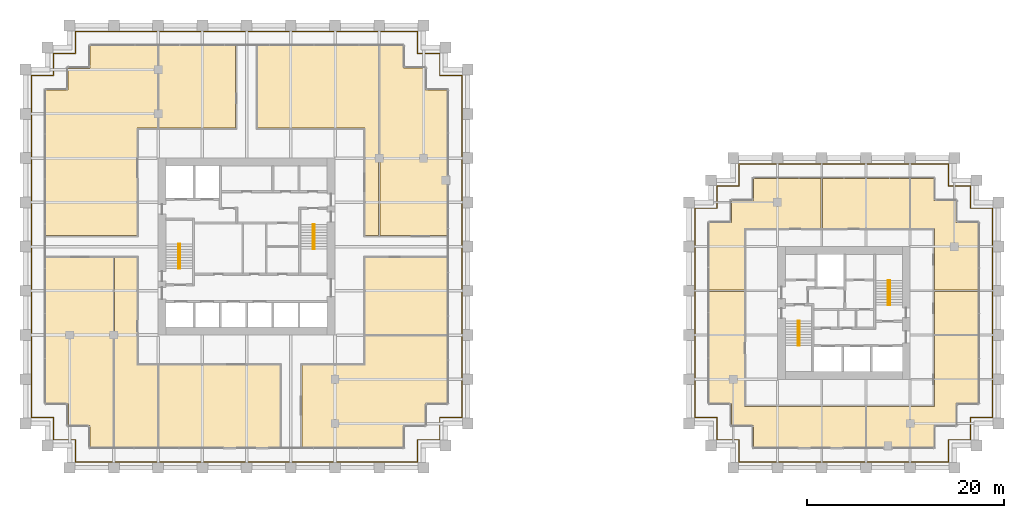
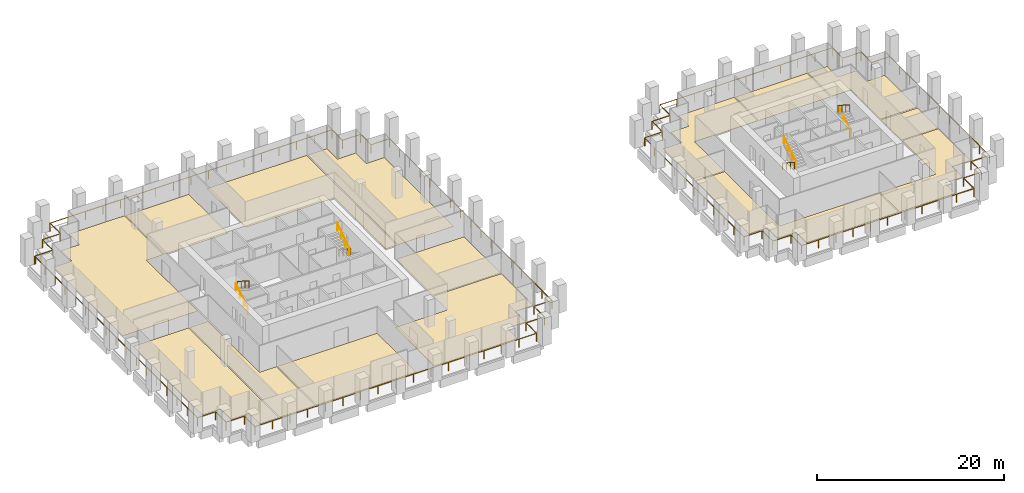
# One storey, part 54 of 54: 15 coverings, 10 railings.
"""IFC4 building model written with IfcOpenShell, lengths in metres."""

from ifc_helpers import new_model, si_unit, direction, frame, origin, origin_2d, place, context, subcontext, project, spatial, polyline, circle, outline, extrude, source, transform, mapped, material, layer, layer_set, type_object, element, save


model = new_model("IFC4")

# Units and contexts
model_context = context("Model", 3, precision=1e-05, world=origin(), true_north=direction((0.0, 1.0)))
body_context = subcontext(model_context, "Body", "Model", "MODEL_VIEW")
ifc_project = project(units=[si_unit("LENGTHUNIT", "METRE"), si_unit("AREAUNIT", "SQUARE_METRE"), si_unit("VOLUMEUNIT", "CUBIC_METRE"), si_unit("PLANEANGLEUNIT", "RADIAN"), si_unit("MASSUNIT", "GRAM", prefix="KILO")], contexts=[model_context])

# Site, building, storey
site_placement = place(None, origin())
site = spatial("IfcSite", under=ifc_project, at=site_placement, CompositionType="ELEMENT")
building_placement = place(site_placement, origin())
building = spatial("IfcBuilding", under=site, at=building_placement, Name="Altepetl Exchange Towers", CompositionType="ELEMENT")
storey_placement = place(building_placement, frame((0.0, 0.0, 58.199951171875)))
storey = spatial("IfcBuildingStorey", under=building, at=storey_placement, Name="L13", CompositionType="ELEMENT", Elevation=58.199951171875)

# Coverings
ifc_material_1 = material(Name="Carpet tile")
ifc_layer_1 = layer(ifc_material_1, 0.02001953125)
ifc_layer_set_1 = layer_set([ifc_layer_1], Name="Carpet tile")
covering_type_1 = type_object("IfcCoveringType", Name="Carpet tile floor", PredefinedType="FLOORING", material=ifc_layer_set_1)
covering_1_placement = place(storey_placement, origin())
element("IfcCovering", 1, at=covering_1_placement, inside=storey, type_object=covering_type_1, Name="Fund office floor finish A13.01", PredefinedType="FLOORING", context=body_context, shape_type="SweptSolid", body=[
    extrude(outline(polyline([(31.3125, 31.3125), (33.5625, 31.3125), (33.5625, 29.0625), (35.9375, 29.0625), (35.9375, 48.387451171875), (29.0625, 48.387451171875), (29.0625, 33.5625), (31.3125, 33.5625), (31.3125, 31.3125)])), origin(), (0.0, 0.0, 1.0), 0.02001953125),
])
covering_2_placement = place(storey_placement, origin())
element("IfcCovering", 2, at=covering_2_placement, inside=storey, type_object=covering_type_1, Name="Pantry floor finish A13.02", PredefinedType="FLOORING", context=body_context, shape_type="SweptSolid", body=[
    extrude(outline(polyline([(36.0625, 48.387451171875), (36.0625, 29.0625), (40.4375, 29.0625), (40.4375, 37.4375), (38.33740234375, 37.4375), (38.33740234375, 48.387451171875), (36.0625, 48.387451171875)])), origin(), (0.0, 0.0, 1.0), 0.02001953125),
])
covering_3_placement = place(storey_placement, origin())
element("IfcCovering", 3, at=covering_3_placement, inside=storey, type_object=covering_type_1, Name="Conference room floor finish A13.03", PredefinedType="FLOORING", context=body_context, shape_type="SweptSolid", body=[
    extrude(outline(polyline([(40.5625, 37.4375), (40.5625, 29.0625), (52.887451171875, 29.0625), (52.887451171875, 37.4375), (40.5625, 37.4375)])), origin(), (0.0, 0.0, 1.0), 0.02001953125),
])
covering_4_placement = place(storey_placement, origin())
element("IfcCovering", 4, at=covering_4_placement, inside=storey, type_object=covering_type_1, Name="Research office floor finish A13.04", PredefinedType="FLOORING", context=body_context, shape_type="SweptSolid", body=[
    extrude(outline(polyline([(67.6875, 31.3125), (67.6875, 33.5625), (69.9375, 33.5625), (69.9375, 40.4375), (61.5625, 40.4375), (61.5625, 37.4375), (55.112548828125, 37.4375), (55.112548828125, 29.0625), (65.4375, 29.0625), (65.4375, 31.3125), (67.6875, 31.3125)])), origin(), (0.0, 0.0, 1.0), 0.02001953125),
])
covering_5_placement = place(storey_placement, origin())
element("IfcCovering", 5, at=covering_5_placement, inside=storey, type_object=covering_type_1, Name="Pantry floor finish A13.05", PredefinedType="FLOORING", context=body_context, shape_type="SweptSolid", body=[
    extrude(outline(polyline([(61.5625, 40.5625), (69.9375, 40.5625), (69.9375, 48.387451171875), (61.5625, 48.387451171875), (61.5625, 40.5625)])), origin(), (0.0, 0.0, 1.0), 0.02001953125),
])
covering_6_placement = place(storey_placement, origin())
element("IfcCovering", 6, at=covering_6_placement, inside=storey, type_object=covering_type_1, Name="Research office floor finish A13.06", PredefinedType="FLOORING", context=body_context, shape_type="SweptSolid", body=[
    extrude(outline(polyline([(67.6875, 67.6875), (65.4375, 67.6875), (65.4375, 69.9375), (63.0625, 69.9375), (63.0625, 50.612548828125), (69.9375, 50.612548828125), (69.9375, 65.4375), (67.6875, 65.4375), (67.6875, 67.6875)])), origin(), (0.0, 0.0, 1.0), 0.02001953125),
])
covering_7_placement = place(storey_placement, origin())
element("IfcCovering", 7, at=covering_7_placement, inside=storey, type_object=covering_type_1, Name="Fund office floor finish A13.07", PredefinedType="FLOORING", context=body_context, shape_type="SweptSolid", body=[
    extrude(outline(polyline([(62.9375, 50.612548828125), (62.9375, 69.9375), (50.612548828125, 69.9375), (50.612548828125, 61.5625), (61.5625, 61.5625), (61.5625, 50.612548828125), (62.9375, 50.612548828125)])), origin(), (0.0, 0.0, 1.0), 0.02001953125),
])
covering_8_placement = place(storey_placement, origin())
element("IfcCovering", 8, at=covering_8_placement, inside=storey, type_object=covering_type_1, Name="Print room floor finish A13.08", PredefinedType="FLOORING", context=body_context, shape_type="SweptSolid", body=[
    extrude(outline(polyline([(48.387451171875, 69.9375), (40.5625, 69.9375), (40.5625, 61.5625), (48.387451171875, 61.5625), (48.387451171875, 69.9375)])), origin(), (0.0, 0.0, 1.0), 0.02001953125),
])
covering_9_placement = place(storey_placement, origin())
element("IfcCovering", 9, at=covering_9_placement, inside=storey, type_object=covering_type_1, Name="Fund office floor finish A13.09", PredefinedType="FLOORING", context=body_context, shape_type="SweptSolid", body=[
    extrude(outline(polyline([(40.4375, 61.5625), (40.4375, 69.9375), (33.5625, 69.9375), (33.5625, 67.6875), (31.3125, 67.6875), (31.3125, 65.4375), (29.0625, 65.4375), (29.0625, 50.612548828125), (38.33740234375, 50.612548828125), (38.33740234375, 61.5625), (40.4375, 61.5625)])), origin(), (0.0, 0.0, 1.0), 0.02001953125),
])
covering_10_placement = place(storey_placement, origin())
element("IfcCovering", 10, at=covering_10_placement, inside=storey, type_object=covering_type_1, Name="Print room floor finish B13.03", PredefinedType="FLOORING", context=body_context, shape_type="SweptSolid", body=[
    extrude(outline(polyline([(123.9375, 44.9375), (119.46240234375, 44.9375), (119.46240234375, 40.5625), (123.9375, 40.5625), (123.9375, 44.9375)])), origin(), (0.0, 0.0, 1.0), 0.02001953125),
])
covering_11_placement = place(storey_placement, origin())
element("IfcCovering", 11, at=covering_11_placement, inside=storey, type_object=covering_type_1, Name="Huddle room floor finish B13.05", PredefinedType="FLOORING", context=body_context, shape_type="SweptSolid", body=[
    extrude(outline(polyline([(108.0625, 56.4375), (108.0625, 51.362548828125), (116.9375, 51.362548828125), (116.9375, 56.4375), (108.0625, 56.4375)])), origin(), (0.0, 0.0, 1.0), 0.02001953125),
])
ifc_material_2 = material(Name="Calcium sulphate access floor panel")
ifc_layer_2 = layer(ifc_material_2, 0.0400390625)
ifc_layer_set_2 = layer_set([ifc_layer_2], Name="Calcium sulphate access floor panel")
covering_type_2 = type_object("IfcCoveringType", Name="Raised access floor panels", PredefinedType="FLOORING", material=ifc_layer_set_2)
covering_12_placement = place(storey_placement, origin())
element("IfcCovering", 12, at=covering_12_placement, inside=storey, type_object=covering_type_2, Name="Treasury office floor finish B13.01", PredefinedType="FLOORING", context=body_context, shape_type="SweptSolid", body=[
    extrude(outline(polyline([(112.4375, 29.0625), (112.4375, 33.237548828125), (100.137451171875, 33.237548828125), (100.137451171875, 44.9375), (96.5625, 44.9375), (96.5625, 33.5625), (98.8125, 33.5625), (98.8125, 31.3125), (101.0625, 31.3125), (101.0625, 29.0625), (112.4375, 29.0625)])), origin(), (0.0, 0.0, 1.0), 0.0400390625),
])
covering_13_placement = place(storey_placement, origin())
element("IfcCovering", 13, at=covering_13_placement, inside=storey, type_object=covering_type_2, Name="Bank office floor finish B13.02", PredefinedType="FLOORING", context=body_context, shape_type="SweptSolid", body=[
    extrude(outline(polyline([(123.9375, 40.4375), (119.46240234375, 40.4375), (119.46240234375, 33.237548828125), (112.5625, 33.237548828125), (112.5625, 29.0625), (119.4375, 29.0625), (119.4375, 31.3125), (121.6875, 31.3125), (121.6875, 33.5625), (123.9375, 33.5625), (123.9375, 40.4375)])), origin(), (0.0, 0.0, 1.0), 0.0400390625),
])
covering_14_placement = place(storey_placement, origin())
element("IfcCovering", 14, at=covering_14_placement, inside=storey, type_object=covering_type_2, Name="Treasury office floor finish B13.04", PredefinedType="FLOORING", context=body_context, shape_type="SweptSolid", body=[
    extrude(outline(polyline([(117.0625, 56.4375), (117.0625, 51.362548828125), (119.46240234375, 51.362548828125), (119.46240234375, 45.0625), (123.9375, 45.0625), (123.9375, 51.9375), (121.6875, 51.9375), (121.6875, 54.1875), (119.4375, 54.1875), (119.4375, 56.4375), (117.0625, 56.4375)])), origin(), (0.0, 0.0, 1.0), 0.0400390625),
])
covering_15_placement = place(storey_placement, origin())
element("IfcCovering", 15, at=covering_15_placement, inside=storey, type_object=covering_type_2, Name="Bank office floor finish B13.06", PredefinedType="FLOORING", context=body_context, shape_type="SweptSolid", body=[
    extrude(outline(polyline([(101.0625, 54.1875), (98.8125, 54.1875), (98.8125, 51.9375), (96.5625, 51.9375), (96.5625, 45.0625), (100.137451171875, 45.0625), (100.137451171875, 51.362548828125), (107.9375, 51.362548828125), (107.9375, 56.4375), (101.0625, 56.4375), (101.0625, 54.1875)])), origin(), (0.0, 0.0, 1.0), 0.0400390625),
])

# Railings
ifc_material_3 = material(Name="Steel S355", Category="steel")
railing_type_1 = type_object("IfcRailingType", Name="Guard 1100 steel posts and rail", PredefinedType="GUARDRAIL", material=ifc_material_3)
shared_shape_1 = source(origin(), body_context, "Body", "SweptSolid", [
    extrude(circle(Radius=0.02099609375, at=origin_2d()), origin(), (0.0, 0.0, 1.0), 1.052001953125),
])
railing_1_placement = place(storey_placement, frame((27.60009765625, 66.89990234375, 0.0)))
element("IfcRailing", 16, at=railing_1_placement, inside=storey, type_object=railing_type_1, Name="Loggia guard", PredefinedType="GUARDRAIL", context=body_context, shape_type="SweptSolid", body=[
    extrude(circle(Radius=0.02392578125, at=origin_2d()), frame((0.0, 0.0, 1.076171875), z_axis=(0.0, -1.0, 0.0), x_axis=(1.0, 0.0, 0.0)), (0.0, 0.0, 1.0), 34.7998046875),
    extrude(circle(Radius=0.02392578125, at=origin_2d()), frame((0.0, -34.7998046875, 1.076171875), z_axis=(1.0, 0.0, 0.0), x_axis=(0.0, 1.0, 0.0)), (0.0, 0.0, 1.0), 2.25),
    extrude(circle(Radius=0.02392578125, at=origin_2d()), frame((2.25, -34.7998046875, 1.076171875), z_axis=(0.0, -1.0, 0.0), x_axis=(1.0, 0.0, 0.0)), (0.0, 0.0, 1.0), 2.25),
    extrude(circle(Radius=0.02392578125, at=origin_2d()), frame((2.25, -37.0498046875, 1.076171875), z_axis=(1.0, 0.0, 0.0), x_axis=(0.0, 1.0, 0.0)), (0.0, 0.0, 1.0), 2.25),
    extrude(circle(Radius=0.02392578125, at=origin_2d()), frame((4.5, -37.0498046875, 1.076171875), z_axis=(0.0, -1.0, 0.0), x_axis=(1.0, 0.0, 0.0)), (0.0, 0.0, 1.0), 2.25),
    extrude(circle(Radius=0.02392578125, at=origin_2d()), frame((4.5, -39.2998046875, 1.076171875), z_axis=(1.0, 0.0, 0.0), x_axis=(0.0, 1.0, 0.0)), (0.0, 0.0, 1.0), 34.7998046875),
    extrude(circle(Radius=0.02392578125, at=origin_2d()), frame((39.2998046875, -39.2998046875, 1.076171875), z_axis=(0.0, 1.0, 0.0), x_axis=(-1.0, 0.0, 0.0)), (0.0, 0.0, 1.0), 2.25),
    extrude(circle(Radius=0.02392578125, at=origin_2d()), frame((39.2998046875, -37.0498046875, 1.076171875), z_axis=(1.0, 0.0, 0.0), x_axis=(0.0, 1.0, 0.0)), (0.0, 0.0, 1.0), 2.25),
    extrude(circle(Radius=0.02392578125, at=origin_2d()), frame((41.5498046875, -37.0498046875, 1.076171875), z_axis=(0.0, 1.0, 0.0), x_axis=(-1.0, 0.0, 0.0)), (0.0, 0.0, 1.0), 2.25),
    extrude(circle(Radius=0.02392578125, at=origin_2d()), frame((41.5498046875, -34.7998046875, 1.076171875), z_axis=(1.0, 0.0, 0.0), x_axis=(0.0, 1.0, 0.0)), (0.0, 0.0, 1.0), 2.25),
    extrude(circle(Radius=0.02392578125, at=origin_2d()), frame((43.7998046875, -34.7998046875, 1.076171875), z_axis=(0.0, 1.0, 0.0), x_axis=(-1.0, 0.0, 0.0)), (0.0, 0.0, 1.0), 34.7998046875),
    extrude(circle(Radius=0.02392578125, at=origin_2d()), frame((43.7998046875, 0.0, 1.076171875), z_axis=(-1.0, 0.0, 0.0), x_axis=(0.0, -1.0, 0.0)), (0.0, 0.0, 1.0), 2.25),
    extrude(circle(Radius=0.02392578125, at=origin_2d()), frame((41.5498046875, 0.0, 1.076171875), z_axis=(0.0, 1.0, 0.0), x_axis=(-1.0, 0.0, 0.0)), (0.0, 0.0, 1.0), 2.25),
    extrude(circle(Radius=0.02392578125, at=origin_2d()), frame((41.5498046875, 2.25, 1.076171875), z_axis=(-1.0, 0.0, 0.0), x_axis=(0.0, -1.0, 0.0)), (0.0, 0.0, 1.0), 2.25),
    extrude(circle(Radius=0.02392578125, at=origin_2d()), frame((39.2998046875, 2.25, 1.076171875), z_axis=(0.0, 1.0, 0.0), x_axis=(-1.0, 0.0, 0.0)), (0.0, 0.0, 1.0), 2.25),
    extrude(circle(Radius=0.02392578125, at=origin_2d()), frame((39.2998046875, 4.5, 1.076171875), z_axis=(-1.0, 0.0, 0.0), x_axis=(0.0, -1.0, 0.0)), (0.0, 0.0, 1.0), 34.7998046875),
    extrude(circle(Radius=0.02392578125, at=origin_2d()), frame((4.5, 4.5, 1.076171875), z_axis=(0.0, -1.0, 0.0), x_axis=(1.0, 0.0, 0.0)), (0.0, 0.0, 1.0), 2.25),
    extrude(circle(Radius=0.02392578125, at=origin_2d()), frame((4.5, 2.25, 1.076171875), z_axis=(-1.0, 0.0, 0.0), x_axis=(0.0, -1.0, 0.0)), (0.0, 0.0, 1.0), 2.25),
    extrude(circle(Radius=0.02392578125, at=origin_2d()), frame((2.25, 2.25, 1.076171875), z_axis=(0.0, -1.0, 0.0), x_axis=(1.0, 0.0, 0.0)), (0.0, 0.0, 1.0), 2.25),
    extrude(circle(Radius=0.02392578125, at=origin_2d()), frame((2.25, 0.0, 1.076171875), z_axis=(-1.0, 0.0, 0.0), x_axis=(0.0, -1.0, 0.0)), (0.0, 0.0, 1.0), 2.150146484375),
    mapped(shared_shape_1, transform((0.0, 0.0, 0.0))),
    mapped(shared_shape_1, transform((0.0, -2.175048828125, 0.0))),
    mapped(shared_shape_1, transform((0.0, -4.35009765625, 0.0))),
    mapped(shared_shape_1, transform((0.0, -6.52490234375, 0.0))),
    mapped(shared_shape_1, transform((0.0, -8.699951171875, 0.0))),
    mapped(shared_shape_1, transform((0.0, -10.875, 0.0))),
    mapped(shared_shape_1, transform((0.0, -13.0498046875, 0.0))),
    mapped(shared_shape_1, transform((0.0, -15.224853515625, 0.0))),
    mapped(shared_shape_1, transform((0.0, -17.39990234375, 0.0))),
    mapped(shared_shape_1, transform((0.0, -19.574951171875, 0.0))),
    mapped(shared_shape_1, transform((0.0, -21.75, 0.0))),
    mapped(shared_shape_1, transform((0.0, -23.9248046875, 0.0))),
    mapped(shared_shape_1, transform((0.0, -26.099853515625, 0.0))),
    mapped(shared_shape_1, transform((0.0, -28.27490234375, 0.0))),
    mapped(shared_shape_1, transform((0.0, -30.44970703125, 0.0))),
    mapped(shared_shape_1, transform((0.0, -32.624755859375, 0.0))),
    mapped(shared_shape_1, transform((0.0, -34.7998046875, 0.0))),
    mapped(shared_shape_1, transform((2.25, -34.7998046875, 0.0))),
    mapped(shared_shape_1, transform((2.25, -37.0498046875, 0.0))),
    mapped(shared_shape_1, transform((4.5, -37.0498046875, 0.0))),
    mapped(shared_shape_1, transform((4.5, -39.2998046875, 0.0))),
    mapped(shared_shape_1, transform((6.675048828125, -39.2998046875, 0.0))),
    mapped(shared_shape_1, transform((8.85009765625, -39.2998046875, 0.0))),
    mapped(shared_shape_1, transform((11.02490234375, -39.2998046875, 0.0))),
    mapped(shared_shape_1, transform((13.199951171875, -39.2998046875, 0.0))),
    mapped(shared_shape_1, transform((15.375, -39.2998046875, 0.0))),
    mapped(shared_shape_1, transform((17.5498046875, -39.2998046875, 0.0))),
    mapped(shared_shape_1, transform((19.724853515625, -39.2998046875, 0.0))),
    mapped(shared_shape_1, transform((21.89990234375, -39.2998046875, 0.0))),
    mapped(shared_shape_1, transform((24.074951171875, -39.2998046875, 0.0))),
    mapped(shared_shape_1, transform((26.25, -39.2998046875, 0.0))),
    mapped(shared_shape_1, transform((28.4248046875, -39.2998046875, 0.0))),
    mapped(shared_shape_1, transform((30.599853515625, -39.2998046875, 0.0))),
    mapped(shared_shape_1, transform((32.77490234375, -39.2998046875, 0.0))),
    mapped(shared_shape_1, transform((34.94970703125, -39.2998046875, 0.0))),
    mapped(shared_shape_1, transform((37.124755859375, -39.2998046875, 0.0))),
    mapped(shared_shape_1, transform((39.2998046875, -39.2998046875, 0.0))),
    mapped(shared_shape_1, transform((39.2998046875, -37.0498046875, 0.0))),
    mapped(shared_shape_1, transform((41.5498046875, -37.0498046875, 0.0))),
    mapped(shared_shape_1, transform((41.5498046875, -34.7998046875, 0.0))),
    mapped(shared_shape_1, transform((43.7998046875, -34.7998046875, 0.0))),
    mapped(shared_shape_1, transform((43.7998046875, -32.624755859375, 0.0))),
    mapped(shared_shape_1, transform((43.7998046875, -30.44970703125, 0.0))),
    mapped(shared_shape_1, transform((43.7998046875, -28.27490234375, 0.0))),
    mapped(shared_shape_1, transform((43.7998046875, -26.099853515625, 0.0))),
    mapped(shared_shape_1, transform((43.7998046875, -23.9248046875, 0.0))),
    mapped(shared_shape_1, transform((43.7998046875, -21.75, 0.0))),
    mapped(shared_shape_1, transform((43.7998046875, -19.574951171875, 0.0))),
    mapped(shared_shape_1, transform((43.7998046875, -17.39990234375, 0.0))),
    mapped(shared_shape_1, transform((43.7998046875, -15.224853515625, 0.0))),
    mapped(shared_shape_1, transform((43.7998046875, -13.0498046875, 0.0))),
    mapped(shared_shape_1, transform((43.7998046875, -10.875, 0.0))),
    mapped(shared_shape_1, transform((43.7998046875, -8.699951171875, 0.0))),
    mapped(shared_shape_1, transform((43.7998046875, -6.52490234375, 0.0))),
    mapped(shared_shape_1, transform((43.7998046875, -4.35009765625, 0.0))),
    mapped(shared_shape_1, transform((43.7998046875, -2.175048828125, 0.0))),
    mapped(shared_shape_1, transform((43.7998046875, 0.0, 0.0))),
    mapped(shared_shape_1, transform((41.5498046875, 0.0, 0.0))),
    mapped(shared_shape_1, transform((41.5498046875, 2.25, 0.0))),
    mapped(shared_shape_1, transform((39.2998046875, 2.25, 0.0))),
    mapped(shared_shape_1, transform((39.2998046875, 4.5, 0.0))),
    mapped(shared_shape_1, transform((37.124755859375, 4.5, 0.0))),
    mapped(shared_shape_1, transform((34.94970703125, 4.5, 0.0))),
    mapped(shared_shape_1, transform((32.77490234375, 4.5, 0.0))),
    mapped(shared_shape_1, transform((30.599853515625, 4.5, 0.0))),
    mapped(shared_shape_1, transform((28.4248046875, 4.5, 0.0))),
    mapped(shared_shape_1, transform((26.25, 4.5, 0.0))),
    mapped(shared_shape_1, transform((24.074951171875, 4.5, 0.0))),
    mapped(shared_shape_1, transform((21.89990234375, 4.5, 0.0))),
    mapped(shared_shape_1, transform((19.724853515625, 4.5, 0.0))),
    mapped(shared_shape_1, transform((17.5498046875, 4.5, 0.0))),
    mapped(shared_shape_1, transform((15.375, 4.5, 0.0))),
    mapped(shared_shape_1, transform((13.199951171875, 4.5, 0.0))),
    mapped(shared_shape_1, transform((11.02490234375, 4.5, 0.0))),
    mapped(shared_shape_1, transform((8.85009765625, 4.5, 0.0))),
    mapped(shared_shape_1, transform((6.675048828125, 4.5, 0.0))),
    mapped(shared_shape_1, transform((4.5, 4.5, 0.0))),
    mapped(shared_shape_1, transform((4.5, 2.25, 0.0))),
    mapped(shared_shape_1, transform((2.25, 2.25, 0.0))),
    mapped(shared_shape_1, transform((2.25, 0.0, 0.0))),
    mapped(shared_shape_1, transform((0.099853515625, 0.0, 0.0))),
])
railing_2_placement = place(storey_placement, frame((95.10009765625, 53.39990234375, 0.0)))
element("IfcRailing", 17, at=railing_2_placement, inside=storey, type_object=railing_type_1, Name="Loggia guard", PredefinedType="GUARDRAIL", context=body_context, shape_type="SweptSolid", body=[
    extrude(circle(Radius=0.02392578125, at=origin_2d()), frame((0.0, 0.0, 1.076171875), z_axis=(0.0, -1.0, 0.0), x_axis=(1.0, 0.0, 0.0)), (0.0, 0.0, 1.0), 21.2998046875),
    extrude(circle(Radius=0.02392578125, at=origin_2d()), frame((0.0, -21.2998046875, 1.076171875), z_axis=(1.0, 0.0, 0.0), x_axis=(0.0, 1.0, 0.0)), (0.0, 0.0, 1.0), 2.25),
    extrude(circle(Radius=0.02392578125, at=origin_2d()), frame((2.25, -21.2998046875, 1.076171875), z_axis=(0.0, -1.0, 0.0), x_axis=(1.0, 0.0, 0.0)), (0.0, 0.0, 1.0), 2.25),
    extrude(circle(Radius=0.02392578125, at=origin_2d()), frame((2.25, -23.5498046875, 1.076171875), z_axis=(1.0, 0.0, 0.0), x_axis=(0.0, 1.0, 0.0)), (0.0, 0.0, 1.0), 2.25),
    extrude(circle(Radius=0.02392578125, at=origin_2d()), frame((4.5, -23.5498046875, 1.076171875), z_axis=(0.0, -1.0, 0.0), x_axis=(1.0, 0.0, 0.0)), (0.0, 0.0, 1.0), 2.25),
    extrude(circle(Radius=0.02392578125, at=origin_2d()), frame((4.5, -25.7998046875, 1.076171875), z_axis=(1.0, 0.0, 0.0), x_axis=(0.0, 1.0, 0.0)), (0.0, 0.0, 1.0), 21.2998046875),
    extrude(circle(Radius=0.02392578125, at=origin_2d()), frame((25.7998046875, -25.7998046875, 1.076171875), z_axis=(0.0, 1.0, 0.0), x_axis=(-1.0, 0.0, 0.0)), (0.0, 0.0, 1.0), 2.25),
    extrude(circle(Radius=0.02392578125, at=origin_2d()), frame((25.7998046875, -23.5498046875, 1.076171875), z_axis=(1.0, 0.0, 0.0), x_axis=(0.0, 1.0, 0.0)), (0.0, 0.0, 1.0), 2.25),
    extrude(circle(Radius=0.02392578125, at=origin_2d()), frame((28.0498046875, -23.5498046875, 1.076171875), z_axis=(0.0, 1.0, 0.0), x_axis=(-1.0, 0.0, 0.0)), (0.0, 0.0, 1.0), 2.25),
    extrude(circle(Radius=0.02392578125, at=origin_2d()), frame((28.0498046875, -21.2998046875, 1.076171875), z_axis=(1.0, 0.0, 0.0), x_axis=(0.0, 1.0, 0.0)), (0.0, 0.0, 1.0), 2.25),
    extrude(circle(Radius=0.02392578125, at=origin_2d()), frame((30.2998046875, -21.2998046875, 1.076171875), z_axis=(0.0, 1.0, 0.0), x_axis=(-1.0, 0.0, 0.0)), (0.0, 0.0, 1.0), 21.2998046875),
    extrude(circle(Radius=0.02392578125, at=origin_2d()), frame((30.2998046875, 0.0, 1.076171875), z_axis=(-1.0, 0.0, 0.0), x_axis=(0.0, -1.0, 0.0)), (0.0, 0.0, 1.0), 2.25),
    extrude(circle(Radius=0.02392578125, at=origin_2d()), frame((28.0498046875, 0.0, 1.076171875), z_axis=(0.0, 1.0, 0.0), x_axis=(-1.0, 0.0, 0.0)), (0.0, 0.0, 1.0), 2.25),
    extrude(circle(Radius=0.02392578125, at=origin_2d()), frame((28.0498046875, 2.25, 1.076171875), z_axis=(-1.0, 0.0, 0.0), x_axis=(0.0, -1.0, 0.0)), (0.0, 0.0, 1.0), 2.25),
    extrude(circle(Radius=0.02392578125, at=origin_2d()), frame((25.7998046875, 2.25, 1.076171875), z_axis=(0.0, 1.0, 0.0), x_axis=(-1.0, 0.0, 0.0)), (0.0, 0.0, 1.0), 2.25),
    extrude(circle(Radius=0.02392578125, at=origin_2d()), frame((25.7998046875, 4.5, 1.076171875), z_axis=(-1.0, 0.0, 0.0), x_axis=(0.0, -1.0, 0.0)), (0.0, 0.0, 1.0), 21.2998046875),
    extrude(circle(Radius=0.02392578125, at=origin_2d()), frame((4.5, 4.5, 1.076171875), z_axis=(0.0, -1.0, 0.0), x_axis=(1.0, 0.0, 0.0)), (0.0, 0.0, 1.0), 2.25),
    extrude(circle(Radius=0.02392578125, at=origin_2d()), frame((4.5, 2.25, 1.076171875), z_axis=(-1.0, 0.0, 0.0), x_axis=(0.0, -1.0, 0.0)), (0.0, 0.0, 1.0), 2.25),
    extrude(circle(Radius=0.02392578125, at=origin_2d()), frame((2.25, 2.25, 1.076171875), z_axis=(0.0, -1.0, 0.0), x_axis=(1.0, 0.0, 0.0)), (0.0, 0.0, 1.0), 2.25),
    extrude(circle(Radius=0.02392578125, at=origin_2d()), frame((2.25, 0.0, 1.076171875), z_axis=(-1.0, 0.0, 0.0), x_axis=(0.0, -1.0, 0.0)), (0.0, 0.0, 1.0), 2.150146484375),
    mapped(shared_shape_1, transform((0.0, 0.0, 0.0))),
    mapped(shared_shape_1, transform((0.0, -2.1298828125, 0.0))),
    mapped(shared_shape_1, transform((0.0, -4.260009765625, 0.0))),
    mapped(shared_shape_1, transform((0.0, -6.389892578125, 0.0))),
    mapped(shared_shape_1, transform((0.0, -8.52001953125, 0.0))),
    mapped(shared_shape_1, transform((0.0, -10.64990234375, 0.0))),
    mapped(shared_shape_1, transform((0.0, -12.77978515625, 0.0))),
    mapped(shared_shape_1, transform((0.0, -14.909912109375, 0.0))),
    mapped(shared_shape_1, transform((0.0, -17.039794921875, 0.0))),
    mapped(shared_shape_1, transform((0.0, -19.169921875, 0.0))),
    mapped(shared_shape_1, transform((0.0, -21.2998046875, 0.0))),
    mapped(shared_shape_1, transform((2.25, -21.2998046875, 0.0))),
    mapped(shared_shape_1, transform((2.25, -23.5498046875, 0.0))),
    mapped(shared_shape_1, transform((4.5, -23.5498046875, 0.0))),
    mapped(shared_shape_1, transform((4.5, -25.7998046875, 0.0))),
    mapped(shared_shape_1, transform((6.6298828125, -25.7998046875, 0.0))),
    mapped(shared_shape_1, transform((8.760009765625, -25.7998046875, 0.0))),
    mapped(shared_shape_1, transform((10.889892578125, -25.7998046875, 0.0))),
    mapped(shared_shape_1, transform((13.02001953125, -25.7998046875, 0.0))),
    mapped(shared_shape_1, transform((15.14990234375, -25.7998046875, 0.0))),
    mapped(shared_shape_1, transform((17.27978515625, -25.7998046875, 0.0))),
    mapped(shared_shape_1, transform((19.409912109375, -25.7998046875, 0.0))),
    mapped(shared_shape_1, transform((21.539794921875, -25.7998046875, 0.0))),
    mapped(shared_shape_1, transform((23.669921875, -25.7998046875, 0.0))),
    mapped(shared_shape_1, transform((25.7998046875, -25.7998046875, 0.0))),
    mapped(shared_shape_1, transform((25.7998046875, -23.5498046875, 0.0))),
    mapped(shared_shape_1, transform((28.0498046875, -23.5498046875, 0.0))),
    mapped(shared_shape_1, transform((28.0498046875, -21.2998046875, 0.0))),
    mapped(shared_shape_1, transform((30.2998046875, -21.2998046875, 0.0))),
    mapped(shared_shape_1, transform((30.2998046875, -19.169921875, 0.0))),
    mapped(shared_shape_1, transform((30.2998046875, -17.039794921875, 0.0))),
    mapped(shared_shape_1, transform((30.2998046875, -14.909912109375, 0.0))),
    mapped(shared_shape_1, transform((30.2998046875, -12.77978515625, 0.0))),
    mapped(shared_shape_1, transform((30.2998046875, -10.64990234375, 0.0))),
    mapped(shared_shape_1, transform((30.2998046875, -8.52001953125, 0.0))),
    mapped(shared_shape_1, transform((30.2998046875, -6.389892578125, 0.0))),
    mapped(shared_shape_1, transform((30.2998046875, -4.260009765625, 0.0))),
    mapped(shared_shape_1, transform((30.2998046875, -2.1298828125, 0.0))),
    mapped(shared_shape_1, transform((30.2998046875, 0.0, 0.0))),
    mapped(shared_shape_1, transform((28.0498046875, 0.0, 0.0))),
    mapped(shared_shape_1, transform((28.0498046875, 2.25, 0.0))),
    mapped(shared_shape_1, transform((25.7998046875, 2.25, 0.0))),
    mapped(shared_shape_1, transform((25.7998046875, 4.5, 0.0))),
    mapped(shared_shape_1, transform((23.669921875, 4.5, 0.0))),
    mapped(shared_shape_1, transform((21.539794921875, 4.5, 0.0))),
    mapped(shared_shape_1, transform((19.409912109375, 4.5, 0.0))),
    mapped(shared_shape_1, transform((17.27978515625, 4.5, 0.0))),
    mapped(shared_shape_1, transform((15.14990234375, 4.5, 0.0))),
    mapped(shared_shape_1, transform((13.02001953125, 4.5, 0.0))),
    mapped(shared_shape_1, transform((10.889892578125, 4.5, 0.0))),
    mapped(shared_shape_1, transform((8.760009765625, 4.5, 0.0))),
    mapped(shared_shape_1, transform((6.6298828125, 4.5, 0.0))),
    mapped(shared_shape_1, transform((4.5, 4.5, 0.0))),
    mapped(shared_shape_1, transform((4.5, 2.25, 0.0))),
    mapped(shared_shape_1, transform((2.25, 2.25, 0.0))),
    mapped(shared_shape_1, transform((2.25, 0.0, 0.0))),
    mapped(shared_shape_1, transform((0.099853515625, 0.0, 0.0))),
])
ifc_material_4 = material(Name="Steel", Category="steel")
railing_type_2 = type_object("IfcRailingType", Name="Stair handrail 50 steel tube", PredefinedType="HANDRAIL", material=ifc_material_4)
shared_shape_2 = source(origin(), body_context, "Body", "SweptSolid", [
    extrude(circle(Radius=0.02099609375, at=origin_2d()), origin(), (0.0, 0.0, 1.0), 0.851806640625),
])
railing_3_placement = place(storey_placement, frame((42.570068359375, 47.25, 0.179931640625)))
element("IfcRailing", 18, at=railing_3_placement, inside=storey, type_object=railing_type_2, Name="Stair handrail", PredefinedType="HANDRAIL", context=body_context, shape_type="SweptSolid", body=[
    extrude(circle(Radius=0.02392578125, at=origin_2d()), frame((0.0, 0.0, 0.8759765625), z_axis=(0.0, 0.841162588446, 0.540782303519), x_axis=(-1.0, 0.0, 0.0)), (0.0, 0.0, 1.0), 2.995849609375),
    mapped(shared_shape_2, transform((0.0, 0.0, 0.0))),
    mapped(shared_shape_2, transform((0.0, 0.840087890625, 0.5400390625))),
    mapped(shared_shape_2, transform((0.0, 1.679931640625, 1.080078125))),
    mapped(shared_shape_2, transform((0.0, 2.52001953125, 1.6201171875))),
])
for number, where, name in (
    (19, (42.72998046875, 49.77001953125, 1.97998046875), "Stair handrail"),
    (20, (56.429931640625, 51.75, 0.179931640625), "Stair handrail"),
):
    element("IfcRailing", number, at=place(storey_placement, frame(where)), inside=storey, type_object=railing_type_2, Name=name, PredefinedType="HANDRAIL", context=body_context, shape_type="SweptSolid", body=[
        extrude(circle(Radius=0.02392578125, at=origin_2d()), frame((0.0, 0.0, 0.8759765625), z_axis=(0.0, -0.841162588446, 0.540782303519), x_axis=(1.0, 0.0, 0.0)), (0.0, 0.0, 1.0), 2.995849609375),
        mapped(shared_shape_2, transform((0.0, 0.0, 0.0))),
        mapped(shared_shape_2, transform((0.0, -0.840087890625, 0.5400390625))),
        mapped(shared_shape_2, transform((0.0, -1.679931640625, 1.080078125))),
        mapped(shared_shape_2, transform((0.0, -2.52001953125, 1.6201171875))),
    ])
railing_4_placement = place(storey_placement, frame((56.27001953125, 49.22998046875, 1.97998046875)))
element("IfcRailing", 21, at=railing_4_placement, inside=storey, type_object=railing_type_2, Name="Stair handrail", PredefinedType="HANDRAIL", context=body_context, shape_type="SweptSolid", body=[
    extrude(circle(Radius=0.02392578125, at=origin_2d()), frame((0.0, 0.0, 0.8759765625), z_axis=(0.0, 0.841162588446, 0.540782303519), x_axis=(-1.0, 0.0, 0.0)), (0.0, 0.0, 1.0), 2.995849609375),
    mapped(shared_shape_2, transform((0.0, 0.0, 0.0))),
    mapped(shared_shape_2, transform((0.0, 0.840087890625, 0.5400390625))),
    mapped(shared_shape_2, transform((0.0, 1.679931640625, 1.080078125))),
    mapped(shared_shape_2, transform((0.0, 2.52001953125, 1.6201171875))),
])
railing_5_placement = place(storey_placement, frame((105.570068359375, 41.949951171875, 0.179931640625)))
element("IfcRailing", 22, at=railing_5_placement, inside=storey, type_object=railing_type_2, Name="Stair handrail", PredefinedType="HANDRAIL", context=body_context, shape_type="SweptSolid", body=[
    extrude(circle(Radius=0.02392578125, at=origin_2d()), frame((0.0, 0.0, 0.8759765625), z_axis=(0.0, -0.841162588446, 0.540782303519), x_axis=(1.0, 0.0, 0.0)), (0.0, 0.0, 1.0), 2.995849609375),
    mapped(shared_shape_2, transform((0.0, 0.0, 0.0))),
    mapped(shared_shape_2, transform((0.0, -0.840087890625, 0.5400390625))),
    mapped(shared_shape_2, transform((0.0, -1.679931640625, 1.080078125))),
    mapped(shared_shape_2, transform((0.0, -2.52001953125, 1.6201171875))),
])
for number, where, name in (
    (23, (105.72998046875, 39.429931640625, 1.97998046875), "Stair handrail"),
    (24, (114.929931640625, 43.550048828125, 0.179931640625), "Stair handrail"),
):
    element("IfcRailing", number, at=place(storey_placement, frame(where)), inside=storey, type_object=railing_type_2, Name=name, PredefinedType="HANDRAIL", context=body_context, shape_type="SweptSolid", body=[
        extrude(circle(Radius=0.02392578125, at=origin_2d()), frame((0.0, 0.0, 0.8759765625), z_axis=(0.0, 0.841162588446, 0.540782303519), x_axis=(-1.0, 0.0, 0.0)), (0.0, 0.0, 1.0), 2.995849609375),
        mapped(shared_shape_2, transform((0.0, 0.0, 0.0))),
        mapped(shared_shape_2, transform((0.0, 0.840087890625, 0.5400390625))),
        mapped(shared_shape_2, transform((0.0, 1.679931640625, 1.080078125))),
        mapped(shared_shape_2, transform((0.0, 2.52001953125, 1.6201171875))),
    ])
railing_6_placement = place(storey_placement, frame((114.77001953125, 46.070068359375, 1.97998046875)))
element("IfcRailing", 25, at=railing_6_placement, inside=storey, type_object=railing_type_2, Name="Stair handrail", PredefinedType="HANDRAIL", context=body_context, shape_type="SweptSolid", body=[
    extrude(circle(Radius=0.02392578125, at=origin_2d()), frame((0.0, 0.0, 0.8759765625), z_axis=(0.0, -0.841162588446, 0.540782303519), x_axis=(1.0, 0.0, 0.0)), (0.0, 0.0, 1.0), 2.995849609375),
    mapped(shared_shape_2, transform((0.0, 0.0, 0.0))),
    mapped(shared_shape_2, transform((0.0, -0.840087890625, 0.5400390625))),
    mapped(shared_shape_2, transform((0.0, -1.679931640625, 1.080078125))),
    mapped(shared_shape_2, transform((0.0, -2.52001953125, 1.6201171875))),
])

save(model, "model.ifc")
